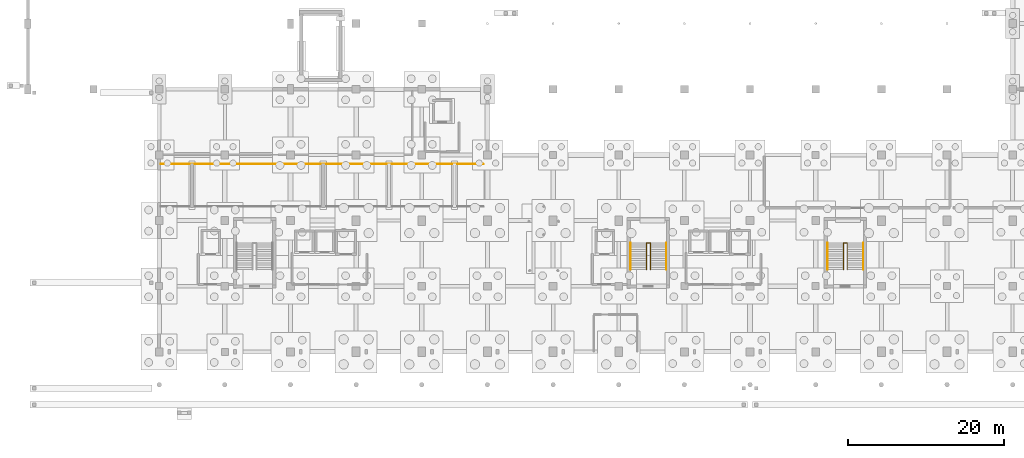
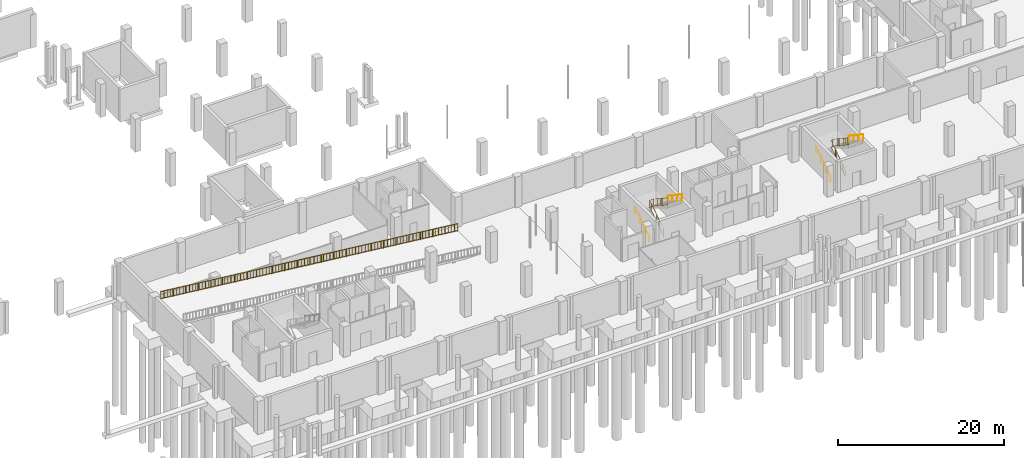
# One storey, part 38 of 39: 7 railings.
"""IFC4 building model written with IfcOpenShell, lengths in metres."""

from ifc_helpers import new_model, si_unit, derived_unit, direction, frame, origin, origin_2d, place, context, subcontext, project, spatial, circle, extrude, material, layer, layer_set, type_object, element, save


model = new_model("IFC4")

# Units and contexts
model_context = context("Model", 3, precision=1e-05, world=origin(), true_north=direction((0.0, 1.0)))
body_context = subcontext(model_context, "Body", "Model", "MODEL_VIEW")
ifc_project = project(units=[si_unit("LENGTHUNIT", "METRE"), si_unit("AREAUNIT", "SQUARE_METRE"), si_unit("VOLUMEUNIT", "CUBIC_METRE"), si_unit("PLANEANGLEUNIT", "RADIAN"), si_unit("MASSUNIT", "GRAM", prefix="KILO"), derived_unit("THERMALTRANSMITTANCEUNIT", [(si_unit("POWERUNIT", "WATT"), 1), (si_unit("LENGTHUNIT", "METRE"), -2), (si_unit("THERMODYNAMICTEMPERATUREUNIT", "KELVIN"), -1)])], contexts=[model_context])

# Site, building, storey
site_placement = place(None, origin())
site = spatial("IfcSite", under=ifc_project, at=site_placement, CompositionType="ELEMENT")
building_placement = place(site_placement, origin())
building = spatial("IfcBuilding", under=site, at=building_placement, Name="Barrovel Congress Hotel", CompositionType="ELEMENT")
storey_placement = place(building_placement, frame((0.0, 0.0, -4.5)))
storey = spatial("IfcBuildingStorey", under=building, at=storey_placement, Name="B01", CompositionType="ELEMENT", Elevation=-4.5)

# Railings
ifc_material_1 = material(Name="Painted Architectural Steel", Category="steel")
ifc_layer_1 = layer(ifc_material_1, 0.070068359375)
ifc_layer_set_1 = layer_set([ifc_layer_1], Name="Painted Architectural Steel")
railing_type_1 = type_object("IfcRailingType", Name="RAIL-GUARD-INT", PredefinedType="BALUSTRADE", material=ifc_layer_set_1)
railing_1_placement = place(storey_placement, frame((79.159912109375, 14.739990234375, 0.0)))
element("IfcRailing", 1, at=railing_1_placement, inside=storey, type_object=railing_type_1, Name="STAIR:XS-02:B01:GR-W", PredefinedType="BALUSTRADE", context=body_context, shape_type="SweptSolid", body=[
    extrude(circle(Radius=0.02392578125, at=origin_2d()), frame((0.0, 0.0, 1.11572265625), z_axis=(0.0, 0.833174834292, 0.553009670352), x_axis=(-1.0, 0.0, 0.0)), (0.0, 0.0, 1.0), 4.068603515625),
    extrude(circle(Radius=0.02392578125, at=origin_2d()), frame((0.0, 0.0, 0.10009765625), z_axis=(0.0, 0.833174834292, 0.553009670352), x_axis=(-1.0, 0.0, 0.0)), (0.0, 0.0, 1.0), 4.068603515625),
    extrude(circle(Radius=0.010009765625, at=origin_2d()), frame((0.0, 0.3388671875, 0.324951171875)), (0.0, 0.0, 1.0), 0.99169921875),
    extrude(circle(Radius=0.010009765625, at=origin_2d()), frame((0.0, 0.677978515625, 0.550048828125)), (0.0, 0.0, 1.0), 0.99169921875),
    extrude(circle(Radius=0.010009765625, at=origin_2d()), frame((0.0, 1.01708984375, 0.77490234375)), (0.0, 0.0, 1.0), 0.99169921875),
    extrude(circle(Radius=0.010009765625, at=origin_2d()), frame((0.0, 1.35595703125, 1.0)), (0.0, 0.0, 1.0), 0.99169921875),
    extrude(circle(Radius=0.010009765625, at=origin_2d()), frame((0.0, 1.69482421875, 1.22509765625)), (0.0, 0.0, 1.0), 0.99169921875),
    extrude(circle(Radius=0.010009765625, at=origin_2d()), frame((0.0, 2.033935546875, 1.449951171875)), (0.0, 0.0, 1.0), 0.99169921875),
    extrude(circle(Radius=0.010009765625, at=origin_2d()), frame((0.0, 2.373046875, 1.675048828125)), (0.0, 0.0, 1.0), 0.99169921875),
    extrude(circle(Radius=0.010009765625, at=origin_2d()), frame((0.0, 2.7119140625, 1.89990234375)), (0.0, 0.0, 1.0), 0.99169921875),
    extrude(circle(Radius=0.010009765625, at=origin_2d()), frame((0.0, 3.05078125, 2.125)), (0.0, 0.0, 1.0), 0.99169921875),
    extrude(circle(Radius=0.02392578125, at=origin_2d()), frame((0.0, 3.389892578125, 3.36572265625), z_axis=(1.0, 0.0, 0.0), x_axis=(0.0, 1.0, 0.0)), (0.0, 0.0, 1.0), 0.47998046875),
    extrude(circle(Radius=0.02392578125, at=origin_2d()), frame((0.0, 3.389892578125, 2.35009765625), z_axis=(1.0, 0.0, 0.0), x_axis=(0.0, 1.0, 0.0)), (0.0, 0.0, 1.0), 0.47998046875),
    extrude(circle(Radius=0.010009765625, at=origin_2d()), frame((0.239990234375, 3.389892578125, 2.35009765625)), (0.0, 0.0, 1.0), 0.99169921875),
    extrude(circle(Radius=0.02392578125, at=origin_2d()), frame((0.47998046875, 3.389892578125, 3.36572265625), z_axis=(0.0, -0.833174834292, 0.553009670352), x_axis=(1.0, 0.0, 0.0)), (0.0, 0.0, 1.0), 4.068603515625),
    extrude(circle(Radius=0.02392578125, at=origin_2d()), frame((0.47998046875, 3.389892578125, 2.35009765625), z_axis=(0.0, -0.833174834292, 0.553009670352), x_axis=(1.0, 0.0, 0.0)), (0.0, 0.0, 1.0), 4.068603515625),
    extrude(circle(Radius=0.010009765625, at=origin_2d()), frame((0.47998046875, 3.05078125, 2.574951171875)), (0.0, 0.0, 1.0), 0.99169921875),
    extrude(circle(Radius=0.010009765625, at=origin_2d()), frame((0.47998046875, 2.7119140625, 2.800048828125)), (0.0, 0.0, 1.0), 0.99169921875),
    extrude(circle(Radius=0.010009765625, at=origin_2d()), frame((0.47998046875, 2.373046875, 3.02490234375)), (0.0, 0.0, 1.0), 0.99169921875),
    extrude(circle(Radius=0.010009765625, at=origin_2d()), frame((0.47998046875, 2.033935546875, 3.25)), (0.0, 0.0, 1.0), 0.99169921875),
    extrude(circle(Radius=0.010009765625, at=origin_2d()), frame((0.47998046875, 1.69482421875, 3.47509765625)), (0.0, 0.0, 1.0), 0.99169921875),
    extrude(circle(Radius=0.010009765625, at=origin_2d()), frame((0.47998046875, 1.35595703125, 3.699951171875)), (0.0, 0.0, 1.0), 0.99169921875),
    extrude(circle(Radius=0.010009765625, at=origin_2d()), frame((0.47998046875, 1.01708984375, 3.925048828125)), (0.0, 0.0, 1.0), 0.99169921875),
    extrude(circle(Radius=0.010009765625, at=origin_2d()), frame((0.47998046875, 0.677978515625, 4.14990234375)), (0.0, 0.0, 1.0), 0.99169921875),
    extrude(circle(Radius=0.010009765625, at=origin_2d()), frame((0.47998046875, 0.3388671875, 4.375)), (0.0, 0.0, 1.0), 0.99169921875),
    extrude(circle(Radius=0.02099609375, at=origin_2d()), origin(), (0.0, 0.0, 1.0), 1.091796875),
    extrude(circle(Radius=0.02099609375, at=origin_2d()), frame((0.0, 1.1298828125, 0.75)), (0.0, 0.0, 1.0), 1.091796875),
    extrude(circle(Radius=0.02099609375, at=origin_2d()), frame((0.0, 2.260009765625, 1.5)), (0.0, 0.0, 1.0), 1.091796875),
    extrude(circle(Radius=0.02099609375, at=origin_2d()), frame((0.0, 3.389892578125, 2.25)), (0.0, 0.0, 1.0), 1.091796875),
    extrude(circle(Radius=0.02099609375, at=origin_2d()), frame((0.47998046875, 3.389892578125, 2.25)), (0.0, 0.0, 1.0), 1.091796875),
    extrude(circle(Radius=0.02099609375, at=origin_2d()), frame((0.47998046875, 2.260009765625, 3.0)), (0.0, 0.0, 1.0), 1.091796875),
    extrude(circle(Radius=0.02099609375, at=origin_2d()), frame((0.47998046875, 1.1298828125, 3.75)), (0.0, 0.0, 1.0), 1.091796875),
    extrude(circle(Radius=0.02099609375, at=origin_2d()), frame((0.47998046875, 0.0, 4.5)), (0.0, 0.0, 1.0), 1.091796875),
])
railing_2_placement = place(storey_placement, frame((104.360107421875, 14.739990234375, 0.0)))
element("IfcRailing", 2, at=railing_2_placement, inside=storey, type_object=railing_type_1, Name="STAIR:XS-03:B01:GR-W", PredefinedType="BALUSTRADE", context=body_context, shape_type="SweptSolid", body=[
    extrude(circle(Radius=0.02392578125, at=origin_2d()), frame((0.0, 0.0, 1.11572265625), z_axis=(0.0, 0.833174834292, 0.553009670352), x_axis=(-1.0, 0.0, 0.0)), (0.0, 0.0, 1.0), 4.068603515625),
    extrude(circle(Radius=0.02392578125, at=origin_2d()), frame((0.0, 0.0, 0.10009765625), z_axis=(0.0, 0.833174834292, 0.553009670352), x_axis=(-1.0, 0.0, 0.0)), (0.0, 0.0, 1.0), 4.068603515625),
    extrude(circle(Radius=0.010009765625, at=origin_2d()), frame((0.0, 0.3388671875, 0.324951171875)), (0.0, 0.0, 1.0), 0.99169921875),
    extrude(circle(Radius=0.010009765625, at=origin_2d()), frame((0.0, 0.677978515625, 0.550048828125)), (0.0, 0.0, 1.0), 0.99169921875),
    extrude(circle(Radius=0.010009765625, at=origin_2d()), frame((0.0, 1.01708984375, 0.77490234375)), (0.0, 0.0, 1.0), 0.99169921875),
    extrude(circle(Radius=0.010009765625, at=origin_2d()), frame((0.0, 1.35595703125, 1.0)), (0.0, 0.0, 1.0), 0.99169921875),
    extrude(circle(Radius=0.010009765625, at=origin_2d()), frame((0.0, 1.69482421875, 1.22509765625)), (0.0, 0.0, 1.0), 0.99169921875),
    extrude(circle(Radius=0.010009765625, at=origin_2d()), frame((0.0, 2.033935546875, 1.449951171875)), (0.0, 0.0, 1.0), 0.99169921875),
    extrude(circle(Radius=0.010009765625, at=origin_2d()), frame((0.0, 2.373046875, 1.675048828125)), (0.0, 0.0, 1.0), 0.99169921875),
    extrude(circle(Radius=0.010009765625, at=origin_2d()), frame((0.0, 2.7119140625, 1.89990234375)), (0.0, 0.0, 1.0), 0.99169921875),
    extrude(circle(Radius=0.010009765625, at=origin_2d()), frame((0.0, 3.05078125, 2.125)), (0.0, 0.0, 1.0), 0.99169921875),
    extrude(circle(Radius=0.02392578125, at=origin_2d()), frame((0.0, 3.389892578125, 3.36572265625), z_axis=(1.0, 0.0, 0.0), x_axis=(0.0, 1.0, 0.0)), (0.0, 0.0, 1.0), 0.47998046875),
    extrude(circle(Radius=0.02392578125, at=origin_2d()), frame((0.0, 3.389892578125, 2.35009765625), z_axis=(1.0, 0.0, 0.0), x_axis=(0.0, 1.0, 0.0)), (0.0, 0.0, 1.0), 0.47998046875),
    extrude(circle(Radius=0.010009765625, at=origin_2d()), frame((0.239990234375, 3.389892578125, 2.35009765625)), (0.0, 0.0, 1.0), 0.99169921875),
    extrude(circle(Radius=0.02392578125, at=origin_2d()), frame((0.47998046875, 3.389892578125, 3.36572265625), z_axis=(0.0, -0.833174834292, 0.553009670352), x_axis=(1.0, 0.0, 0.0)), (0.0, 0.0, 1.0), 4.068603515625),
    extrude(circle(Radius=0.02392578125, at=origin_2d()), frame((0.47998046875, 3.389892578125, 2.35009765625), z_axis=(0.0, -0.833174834292, 0.553009670352), x_axis=(1.0, 0.0, 0.0)), (0.0, 0.0, 1.0), 4.068603515625),
    extrude(circle(Radius=0.010009765625, at=origin_2d()), frame((0.47998046875, 3.05078125, 2.574951171875)), (0.0, 0.0, 1.0), 0.99169921875),
    extrude(circle(Radius=0.010009765625, at=origin_2d()), frame((0.47998046875, 2.7119140625, 2.800048828125)), (0.0, 0.0, 1.0), 0.99169921875),
    extrude(circle(Radius=0.010009765625, at=origin_2d()), frame((0.47998046875, 2.373046875, 3.02490234375)), (0.0, 0.0, 1.0), 0.99169921875),
    extrude(circle(Radius=0.010009765625, at=origin_2d()), frame((0.47998046875, 2.033935546875, 3.25)), (0.0, 0.0, 1.0), 0.99169921875),
    extrude(circle(Radius=0.010009765625, at=origin_2d()), frame((0.47998046875, 1.69482421875, 3.47509765625)), (0.0, 0.0, 1.0), 0.99169921875),
    extrude(circle(Radius=0.010009765625, at=origin_2d()), frame((0.47998046875, 1.35595703125, 3.699951171875)), (0.0, 0.0, 1.0), 0.99169921875),
    extrude(circle(Radius=0.010009765625, at=origin_2d()), frame((0.47998046875, 1.01708984375, 3.925048828125)), (0.0, 0.0, 1.0), 0.99169921875),
    extrude(circle(Radius=0.010009765625, at=origin_2d()), frame((0.47998046875, 0.677978515625, 4.14990234375)), (0.0, 0.0, 1.0), 0.99169921875),
    extrude(circle(Radius=0.010009765625, at=origin_2d()), frame((0.47998046875, 0.3388671875, 4.375)), (0.0, 0.0, 1.0), 0.99169921875),
    extrude(circle(Radius=0.02099609375, at=origin_2d()), origin(), (0.0, 0.0, 1.0), 1.091796875),
    extrude(circle(Radius=0.02099609375, at=origin_2d()), frame((0.0, 1.1298828125, 0.75)), (0.0, 0.0, 1.0), 1.091796875),
    extrude(circle(Radius=0.02099609375, at=origin_2d()), frame((0.0, 2.260009765625, 1.5)), (0.0, 0.0, 1.0), 1.091796875),
    extrude(circle(Radius=0.02099609375, at=origin_2d()), frame((0.0, 3.389892578125, 2.25)), (0.0, 0.0, 1.0), 1.091796875),
    extrude(circle(Radius=0.02099609375, at=origin_2d()), frame((0.47998046875, 3.389892578125, 2.25)), (0.0, 0.0, 1.0), 1.091796875),
    extrude(circle(Radius=0.02099609375, at=origin_2d()), frame((0.47998046875, 2.260009765625, 3.0)), (0.0, 0.0, 1.0), 1.091796875),
    extrude(circle(Radius=0.02099609375, at=origin_2d()), frame((0.47998046875, 1.1298828125, 3.75)), (0.0, 0.0, 1.0), 1.091796875),
    extrude(circle(Radius=0.02099609375, at=origin_2d()), frame((0.47998046875, 0.0, 4.5)), (0.0, 0.0, 1.0), 1.091796875),
])
railing_3_placement = place(storey_placement, frame((58.280029296875, 28.219970703125, 0.007568359375)))
element("IfcRailing", 3, at=railing_3_placement, inside=storey, type_object=railing_type_1, Name="RAIL:B01:R01-N", PredefinedType="BALUSTRADE", context=body_context, shape_type="SweptSolid", body=[
    extrude(circle(Radius=0.02392578125, at=origin_2d()), frame((0.0, 0.0, 1.11572265625), z_axis=(-0.994227917006, 0.0, 0.107288624958), x_axis=(0.0, -1.0, 0.0)), (0.0, 0.0, 1.0), 41.519775390625),
    extrude(circle(Radius=0.02392578125, at=origin_2d()), frame((0.0, 0.0, 0.10009765625), z_axis=(-0.994227917006, 0.0, 0.107288624958), x_axis=(0.0, -1.0, 0.0)), (0.0, 0.0, 1.0), 41.519775390625),
    extrude(circle(Radius=0.010009765625, at=origin_2d()), frame((-0.44384765625, 0.0, 0.14794921875)), (0.0, 0.0, 1.0), 0.99169921875),
    extrude(circle(Radius=0.010009765625, at=origin_2d()), frame((-0.8876953125, 0.0, 0.19580078125)), (0.0, 0.0, 1.0), 0.99169921875),
    extrude(circle(Radius=0.010009765625, at=origin_2d()), frame((-1.33154296875, 0.0, 0.24365234375)), (0.0, 0.0, 1.0), 0.99169921875),
    extrude(circle(Radius=0.010009765625, at=origin_2d()), frame((-1.775390625, 0.0, 0.29150390625)), (0.0, 0.0, 1.0), 0.99169921875),
    extrude(circle(Radius=0.010009765625, at=origin_2d()), frame((-2.21923828125, 0.0, 0.339599609375)), (0.0, 0.0, 1.0), 0.99169921875),
    extrude(circle(Radius=0.010009765625, at=origin_2d()), frame((-2.663330078125, 0.0, 0.387451171875)), (0.0, 0.0, 1.0), 0.99169921875),
    extrude(circle(Radius=0.010009765625, at=origin_2d()), frame((-3.107177734375, 0.0, 0.435302734375)), (0.0, 0.0, 1.0), 0.99169921875),
    extrude(circle(Radius=0.010009765625, at=origin_2d()), frame((-3.551025390625, 0.0, 0.483154296875)), (0.0, 0.0, 1.0), 0.99169921875),
    extrude(circle(Radius=0.010009765625, at=origin_2d()), frame((-3.994873046875, 0.0, 0.531005859375)), (0.0, 0.0, 1.0), 0.99169921875),
    extrude(circle(Radius=0.010009765625, at=origin_2d()), frame((-4.438720703125, 0.0, 0.5791015625)), (0.0, 0.0, 1.0), 0.99169921875),
    extrude(circle(Radius=0.010009765625, at=origin_2d()), frame((-4.882568359375, 0.0, 0.626953125)), (0.0, 0.0, 1.0), 0.99169921875),
    extrude(circle(Radius=0.010009765625, at=origin_2d()), frame((-5.326416015625, 0.0, 0.6748046875)), (0.0, 0.0, 1.0), 0.99169921875),
    extrude(circle(Radius=0.010009765625, at=origin_2d()), frame((-5.770263671875, 0.0, 0.72265625)), (0.0, 0.0, 1.0), 0.99169921875),
    extrude(circle(Radius=0.010009765625, at=origin_2d()), frame((-6.214111328125, 0.0, 0.7705078125)), (0.0, 0.0, 1.0), 0.99169921875),
    extrude(circle(Radius=0.010009765625, at=origin_2d()), frame((-6.657958984375, 0.0, 0.818603515625)), (0.0, 0.0, 1.0), 0.99169921875),
    extrude(circle(Radius=0.010009765625, at=origin_2d()), frame((-7.10205078125, 0.0, 0.866455078125)), (0.0, 0.0, 1.0), 0.99169921875),
    extrude(circle(Radius=0.010009765625, at=origin_2d()), frame((-7.5458984375, 0.0, 0.914306640625)), (0.0, 0.0, 1.0), 0.99169921875),
    extrude(circle(Radius=0.010009765625, at=origin_2d()), frame((-7.98974609375, 0.0, 0.962158203125)), (0.0, 0.0, 1.0), 0.99169921875),
    extrude(circle(Radius=0.010009765625, at=origin_2d()), frame((-8.43359375, 0.0, 1.010009765625)), (0.0, 0.0, 1.0), 0.99169921875),
    extrude(circle(Radius=0.010009765625, at=origin_2d()), frame((-8.87744140625, 0.0, 1.057861328125)), (0.0, 0.0, 1.0), 0.99169921875),
    extrude(circle(Radius=0.010009765625, at=origin_2d()), frame((-9.3212890625, 0.0, 1.10595703125)), (0.0, 0.0, 1.0), 0.99169921875),
    extrude(circle(Radius=0.010009765625, at=origin_2d()), frame((-9.76513671875, 0.0, 1.15380859375)), (0.0, 0.0, 1.0), 0.99169921875),
    extrude(circle(Radius=0.010009765625, at=origin_2d()), frame((-10.208984375, 0.0, 1.20166015625)), (0.0, 0.0, 1.0), 0.99169921875),
    extrude(circle(Radius=0.010009765625, at=origin_2d()), frame((-10.65283203125, 0.0, 1.24951171875)), (0.0, 0.0, 1.0), 0.99169921875),
    extrude(circle(Radius=0.010009765625, at=origin_2d()), frame((-11.0966796875, 0.0, 1.29736328125)), (0.0, 0.0, 1.0), 0.99169921875),
    extrude(circle(Radius=0.010009765625, at=origin_2d()), frame((-11.540771484375, 0.0, 1.345458984375)), (0.0, 0.0, 1.0), 0.99169921875),
    extrude(circle(Radius=0.010009765625, at=origin_2d()), frame((-11.984619140625, 0.0, 1.393310546875)), (0.0, 0.0, 1.0), 0.99169921875),
    extrude(circle(Radius=0.010009765625, at=origin_2d()), frame((-12.428466796875, 0.0, 1.441162109375)), (0.0, 0.0, 1.0), 0.99169921875),
    extrude(circle(Radius=0.010009765625, at=origin_2d()), frame((-12.872314453125, 0.0, 1.489013671875)), (0.0, 0.0, 1.0), 0.99169921875),
    extrude(circle(Radius=0.010009765625, at=origin_2d()), frame((-13.316162109375, 0.0, 1.536865234375)), (0.0, 0.0, 1.0), 0.99169921875),
    extrude(circle(Radius=0.010009765625, at=origin_2d()), frame((-13.760009765625, 0.0, 1.5849609375)), (0.0, 0.0, 1.0), 0.99169921875),
    extrude(circle(Radius=0.010009765625, at=origin_2d()), frame((-14.203857421875, 0.0, 1.6328125)), (0.0, 0.0, 1.0), 0.99169921875),
    extrude(circle(Radius=0.010009765625, at=origin_2d()), frame((-14.647705078125, 0.0, 1.6806640625)), (0.0, 0.0, 1.0), 0.99169921875),
    extrude(circle(Radius=0.010009765625, at=origin_2d()), frame((-15.091552734375, 0.0, 1.728515625)), (0.0, 0.0, 1.0), 0.99169921875),
    extrude(circle(Radius=0.010009765625, at=origin_2d()), frame((-15.535400390625, 0.0, 1.7763671875)), (0.0, 0.0, 1.0), 0.99169921875),
    extrude(circle(Radius=0.010009765625, at=origin_2d()), frame((-15.979248046875, 0.0, 1.824462890625)), (0.0, 0.0, 1.0), 0.99169921875),
    extrude(circle(Radius=0.010009765625, at=origin_2d()), frame((-16.42333984375, 0.0, 1.872314453125)), (0.0, 0.0, 1.0), 0.99169921875),
    extrude(circle(Radius=0.010009765625, at=origin_2d()), frame((-16.8671875, 0.0, 1.920166015625)), (0.0, 0.0, 1.0), 0.99169921875),
    extrude(circle(Radius=0.010009765625, at=origin_2d()), frame((-17.31103515625, 0.0, 1.968017578125)), (0.0, 0.0, 1.0), 0.99169921875),
    extrude(circle(Radius=0.010009765625, at=origin_2d()), frame((-17.7548828125, 0.0, 2.015869140625)), (0.0, 0.0, 1.0), 0.99169921875),
    extrude(circle(Radius=0.010009765625, at=origin_2d()), frame((-18.19873046875, 0.0, 2.06396484375)), (0.0, 0.0, 1.0), 0.99169921875),
    extrude(circle(Radius=0.010009765625, at=origin_2d()), frame((-18.642578125, 0.0, 2.11181640625)), (0.0, 0.0, 1.0), 0.99169921875),
    extrude(circle(Radius=0.010009765625, at=origin_2d()), frame((-19.08642578125, 0.0, 2.15966796875)), (0.0, 0.0, 1.0), 0.99169921875),
    extrude(circle(Radius=0.010009765625, at=origin_2d()), frame((-19.5302734375, 0.0, 2.20751953125)), (0.0, 0.0, 1.0), 0.99169921875),
    extrude(circle(Radius=0.010009765625, at=origin_2d()), frame((-19.97412109375, 0.0, 2.25537109375)), (0.0, 0.0, 1.0), 0.99169921875),
    extrude(circle(Radius=0.010009765625, at=origin_2d()), frame((-20.41796875, 0.0, 2.303466796875)), (0.0, 0.0, 1.0), 0.99169921875),
    extrude(circle(Radius=0.010009765625, at=origin_2d()), frame((-20.862060546875, 0.0, 2.351318359375)), (0.0, 0.0, 1.0), 0.99169921875),
    extrude(circle(Radius=0.010009765625, at=origin_2d()), frame((-21.305908203125, 0.0, 2.399169921875)), (0.0, 0.0, 1.0), 0.99169921875),
    extrude(circle(Radius=0.010009765625, at=origin_2d()), frame((-21.749755859375, 0.0, 2.447021484375)), (0.0, 0.0, 1.0), 0.99169921875),
    extrude(circle(Radius=0.010009765625, at=origin_2d()), frame((-22.193603515625, 0.0, 2.494873046875)), (0.0, 0.0, 1.0), 0.99169921875),
    extrude(circle(Radius=0.010009765625, at=origin_2d()), frame((-22.637451171875, 0.0, 2.542724609375)), (0.0, 0.0, 1.0), 0.99169921875),
    extrude(circle(Radius=0.010009765625, at=origin_2d()), frame((-23.081298828125, 0.0, 2.5908203125)), (0.0, 0.0, 1.0), 0.99169921875),
    extrude(circle(Radius=0.010009765625, at=origin_2d()), frame((-23.525146484375, 0.0, 2.638671875)), (0.0, 0.0, 1.0), 0.99169921875),
    extrude(circle(Radius=0.010009765625, at=origin_2d()), frame((-23.968994140625, 0.0, 2.6865234375)), (0.0, 0.0, 1.0), 0.99169921875),
    extrude(circle(Radius=0.010009765625, at=origin_2d()), frame((-24.412841796875, 0.0, 2.734375)), (0.0, 0.0, 1.0), 0.99169921875),
    extrude(circle(Radius=0.010009765625, at=origin_2d()), frame((-24.856689453125, 0.0, 2.7822265625)), (0.0, 0.0, 1.0), 0.99169921875),
    extrude(circle(Radius=0.010009765625, at=origin_2d()), frame((-25.30078125, 0.0, 2.830322265625)), (0.0, 0.0, 1.0), 0.99169921875),
    extrude(circle(Radius=0.010009765625, at=origin_2d()), frame((-25.74462890625, 0.0, 2.878173828125)), (0.0, 0.0, 1.0), 0.99169921875),
    extrude(circle(Radius=0.010009765625, at=origin_2d()), frame((-26.1884765625, 0.0, 2.926025390625)), (0.0, 0.0, 1.0), 0.99169921875),
    extrude(circle(Radius=0.010009765625, at=origin_2d()), frame((-26.63232421875, 0.0, 2.973876953125)), (0.0, 0.0, 1.0), 0.99169921875),
    extrude(circle(Radius=0.010009765625, at=origin_2d()), frame((-27.076171875, 0.0, 3.021728515625)), (0.0, 0.0, 1.0), 0.99169921875),
    extrude(circle(Radius=0.010009765625, at=origin_2d()), frame((-27.52001953125, 0.0, 3.06982421875)), (0.0, 0.0, 1.0), 0.99169921875),
    extrude(circle(Radius=0.010009765625, at=origin_2d()), frame((-27.9638671875, 0.0, 3.11767578125)), (0.0, 0.0, 1.0), 0.99169921875),
    extrude(circle(Radius=0.010009765625, at=origin_2d()), frame((-28.40771484375, 0.0, 3.16552734375)), (0.0, 0.0, 1.0), 0.99169921875),
    extrude(circle(Radius=0.010009765625, at=origin_2d()), frame((-28.8515625, 0.0, 3.21337890625)), (0.0, 0.0, 1.0), 0.99169921875),
    extrude(circle(Radius=0.010009765625, at=origin_2d()), frame((-29.29541015625, 0.0, 3.26123046875)), (0.0, 0.0, 1.0), 0.99169921875),
    extrude(circle(Radius=0.010009765625, at=origin_2d()), frame((-29.7392578125, 0.0, 3.309326171875)), (0.0, 0.0, 1.0), 0.99169921875),
    extrude(circle(Radius=0.010009765625, at=origin_2d()), frame((-30.183349609375, 0.0, 3.357177734375)), (0.0, 0.0, 1.0), 0.99169921875),
    extrude(circle(Radius=0.010009765625, at=origin_2d()), frame((-30.627197265625, 0.0, 3.405029296875)), (0.0, 0.0, 1.0), 0.99169921875),
    extrude(circle(Radius=0.010009765625, at=origin_2d()), frame((-31.071044921875, 0.0, 3.452880859375)), (0.0, 0.0, 1.0), 0.99169921875),
    extrude(circle(Radius=0.010009765625, at=origin_2d()), frame((-31.514892578125, 0.0, 3.500732421875)), (0.0, 0.0, 1.0), 0.99169921875),
    extrude(circle(Radius=0.010009765625, at=origin_2d()), frame((-31.958740234375, 0.0, 3.548828125)), (0.0, 0.0, 1.0), 0.99169921875),
    extrude(circle(Radius=0.010009765625, at=origin_2d()), frame((-32.402587890625, 0.0, 3.5966796875)), (0.0, 0.0, 1.0), 0.99169921875),
    extrude(circle(Radius=0.010009765625, at=origin_2d()), frame((-32.846435546875, 0.0, 3.64453125)), (0.0, 0.0, 1.0), 0.99169921875),
    extrude(circle(Radius=0.010009765625, at=origin_2d()), frame((-33.290283203125, 0.0, 3.6923828125)), (0.0, 0.0, 1.0), 0.99169921875),
    extrude(circle(Radius=0.010009765625, at=origin_2d()), frame((-33.734130859375, 0.0, 3.740234375)), (0.0, 0.0, 1.0), 0.99169921875),
    extrude(circle(Radius=0.010009765625, at=origin_2d()), frame((-34.177978515625, 0.0, 3.788330078125)), (0.0, 0.0, 1.0), 0.99169921875),
    extrude(circle(Radius=0.010009765625, at=origin_2d()), frame((-34.6220703125, 0.0, 3.836181640625)), (0.0, 0.0, 1.0), 0.99169921875),
    extrude(circle(Radius=0.010009765625, at=origin_2d()), frame((-35.06591796875, 0.0, 3.884033203125)), (0.0, 0.0, 1.0), 0.99169921875),
    extrude(circle(Radius=0.010009765625, at=origin_2d()), frame((-35.509765625, 0.0, 3.931884765625)), (0.0, 0.0, 1.0), 0.99169921875),
    extrude(circle(Radius=0.010009765625, at=origin_2d()), frame((-35.95361328125, 0.0, 3.979736328125)), (0.0, 0.0, 1.0), 0.99169921875),
    extrude(circle(Radius=0.010009765625, at=origin_2d()), frame((-36.3974609375, 0.0, 4.027587890625)), (0.0, 0.0, 1.0), 0.99169921875),
    extrude(circle(Radius=0.010009765625, at=origin_2d()), frame((-36.84130859375, 0.0, 4.07568359375)), (0.0, 0.0, 1.0), 0.99169921875),
    extrude(circle(Radius=0.010009765625, at=origin_2d()), frame((-37.28515625, 0.0, 4.12353515625)), (0.0, 0.0, 1.0), 0.99169921875),
    extrude(circle(Radius=0.010009765625, at=origin_2d()), frame((-37.72900390625, 0.0, 4.17138671875)), (0.0, 0.0, 1.0), 0.99169921875),
    extrude(circle(Radius=0.010009765625, at=origin_2d()), frame((-38.1728515625, 0.0, 4.21923828125)), (0.0, 0.0, 1.0), 0.99169921875),
    extrude(circle(Radius=0.010009765625, at=origin_2d()), frame((-38.61669921875, 0.0, 4.26708984375)), (0.0, 0.0, 1.0), 0.99169921875),
    extrude(circle(Radius=0.010009765625, at=origin_2d()), frame((-39.060791015625, 0.0, 4.315185546875)), (0.0, 0.0, 1.0), 0.99169921875),
    extrude(circle(Radius=0.010009765625, at=origin_2d()), frame((-39.504638671875, 0.0, 4.363037109375)), (0.0, 0.0, 1.0), 0.99169921875),
    extrude(circle(Radius=0.010009765625, at=origin_2d()), frame((-39.948486328125, 0.0, 4.410888671875)), (0.0, 0.0, 1.0), 0.99169921875),
    extrude(circle(Radius=0.010009765625, at=origin_2d()), frame((-40.392333984375, 0.0, 4.458740234375)), (0.0, 0.0, 1.0), 0.99169921875),
    extrude(circle(Radius=0.010009765625, at=origin_2d()), frame((-40.836181640625, 0.0, 4.506591796875)), (0.0, 0.0, 1.0), 0.99169921875),
    extrude(circle(Radius=0.02099609375, at=origin_2d()), origin(), (0.0, 0.0, 1.0), 1.091796875),
    extrude(circle(Radius=0.02099609375, at=origin_2d()), frame((-1.719970703125, 0.0, 0.185546875)), (0.0, 0.0, 1.0), 1.091796875),
    extrude(circle(Radius=0.02099609375, at=origin_2d()), frame((-3.43994140625, 0.0, 0.37109375)), (0.0, 0.0, 1.0), 1.091796875),
    extrude(circle(Radius=0.02099609375, at=origin_2d()), frame((-5.159912109375, 0.0, 0.556884765625)), (0.0, 0.0, 1.0), 1.091796875),
    extrude(circle(Radius=0.02099609375, at=origin_2d()), frame((-6.8798828125, 0.0, 0.742431640625)), (0.0, 0.0, 1.0), 1.091796875),
    extrude(circle(Radius=0.02099609375, at=origin_2d()), frame((-8.60009765625, 0.0, 0.927978515625)), (0.0, 0.0, 1.0), 1.091796875),
    extrude(circle(Radius=0.02099609375, at=origin_2d()), frame((-10.320068359375, 0.0, 1.11376953125)), (0.0, 0.0, 1.0), 1.091796875),
    extrude(circle(Radius=0.02099609375, at=origin_2d()), frame((-12.0400390625, 0.0, 1.29931640625)), (0.0, 0.0, 1.0), 1.091796875),
    extrude(circle(Radius=0.02099609375, at=origin_2d()), frame((-13.760009765625, 0.0, 1.48486328125)), (0.0, 0.0, 1.0), 1.091796875),
    extrude(circle(Radius=0.02099609375, at=origin_2d()), frame((-15.47998046875, 0.0, 1.67041015625)), (0.0, 0.0, 1.0), 1.091796875),
    extrude(circle(Radius=0.02099609375, at=origin_2d()), frame((-17.199951171875, 0.0, 1.85595703125)), (0.0, 0.0, 1.0), 1.091796875),
    extrude(circle(Radius=0.02099609375, at=origin_2d()), frame((-18.919921875, 0.0, 2.041748046875)), (0.0, 0.0, 1.0), 1.091796875),
    extrude(circle(Radius=0.02099609375, at=origin_2d()), frame((-20.64013671875, 0.0, 2.227294921875)), (0.0, 0.0, 1.0), 1.091796875),
    extrude(circle(Radius=0.02099609375, at=origin_2d()), frame((-22.360107421875, 0.0, 2.412841796875)), (0.0, 0.0, 1.0), 1.091796875),
    extrude(circle(Radius=0.02099609375, at=origin_2d()), frame((-24.080078125, 0.0, 2.5986328125)), (0.0, 0.0, 1.0), 1.091796875),
    extrude(circle(Radius=0.02099609375, at=origin_2d()), frame((-25.800048828125, 0.0, 2.7841796875)), (0.0, 0.0, 1.0), 1.091796875),
    extrude(circle(Radius=0.02099609375, at=origin_2d()), frame((-27.52001953125, 0.0, 2.9697265625)), (0.0, 0.0, 1.0), 1.091796875),
    extrude(circle(Radius=0.02099609375, at=origin_2d()), frame((-29.239990234375, 0.0, 3.1552734375)), (0.0, 0.0, 1.0), 1.091796875),
    extrude(circle(Radius=0.02099609375, at=origin_2d()), frame((-30.9599609375, 0.0, 3.3408203125)), (0.0, 0.0, 1.0), 1.091796875),
    extrude(circle(Radius=0.02099609375, at=origin_2d()), frame((-32.679931640625, 0.0, 3.526611328125)), (0.0, 0.0, 1.0), 1.091796875),
    extrude(circle(Radius=0.02099609375, at=origin_2d()), frame((-34.39990234375, 0.0, 3.712158203125)), (0.0, 0.0, 1.0), 1.091796875),
    extrude(circle(Radius=0.02099609375, at=origin_2d()), frame((-36.1201171875, 0.0, 3.897705078125)), (0.0, 0.0, 1.0), 1.091796875),
    extrude(circle(Radius=0.02099609375, at=origin_2d()), frame((-37.840087890625, 0.0, 4.08349609375)), (0.0, 0.0, 1.0), 1.091796875),
    extrude(circle(Radius=0.02099609375, at=origin_2d()), frame((-39.56005859375, 0.0, 4.26904296875)), (0.0, 0.0, 1.0), 1.091796875),
    extrude(circle(Radius=0.02099609375, at=origin_2d()), frame((-41.280029296875, 0.0, 4.45458984375)), (0.0, 0.0, 1.0), 1.091796875),
])
ifc_material_2 = material(Name="Brushed Stainless Steel", Category="steel")
ifc_layer_2 = layer(ifc_material_2, 0.050048828125)
ifc_layer_set_2 = layer_set([ifc_layer_2], Name="Brushed Stainless Steel")
railing_type_2 = type_object("IfcRailingType", Name="RAIL-HAND", PredefinedType="HANDRAIL", material=ifc_layer_set_2)
railing_4_placement = place(storey_placement, frame((77.1201171875, 14.739990234375, 0.0)))
element("IfcRailing", 4, at=railing_4_placement, inside=storey, type_object=railing_type_2, Name="STAIR:XS-02:B01:HR-1", PredefinedType="HANDRAIL", context=body_context, shape_type="SweptSolid", body=[
    extrude(circle(Radius=0.02392578125, at=origin_2d()), frame((0.0, 0.0, 0.89599609375), z_axis=(0.0, 0.833174834292, 0.553009670352), x_axis=(-1.0, 0.0, 0.0)), (0.0, 0.0, 1.0), 4.068603515625),
    extrude(circle(Radius=0.02099609375, at=origin_2d()), origin(), (0.0, 0.0, 1.0), 0.871826171875),
    extrude(circle(Radius=0.02099609375, at=origin_2d()), frame((0.0, 1.1298828125, 0.75)), (0.0, 0.0, 1.0), 0.871826171875),
    extrude(circle(Radius=0.02099609375, at=origin_2d()), frame((0.0, 2.260009765625, 1.5)), (0.0, 0.0, 1.0), 0.871826171875),
    extrude(circle(Radius=0.02099609375, at=origin_2d()), frame((0.0, 3.389892578125, 2.25)), (0.0, 0.0, 1.0), 0.871826171875),
])
railing_5_placement = place(storey_placement, frame((81.679931640625, 18.1298828125, 2.25)))
element("IfcRailing", 5, at=railing_5_placement, inside=storey, type_object=railing_type_2, Name="STAIR:XS-02:B01:HR-2", PredefinedType="HANDRAIL", context=body_context, shape_type="SweptSolid", body=[
    extrude(circle(Radius=0.02392578125, at=origin_2d()), frame((0.0, 0.0, 0.89599609375), z_axis=(0.0, -0.833174834292, 0.553009670352), x_axis=(1.0, 0.0, 0.0)), (0.0, 0.0, 1.0), 4.068603515625),
    extrude(circle(Radius=0.02099609375, at=origin_2d()), origin(), (0.0, 0.0, 1.0), 0.871826171875),
    extrude(circle(Radius=0.02099609375, at=origin_2d()), frame((0.0, -1.1298828125, 0.75)), (0.0, 0.0, 1.0), 0.871826171875),
    extrude(circle(Radius=0.02099609375, at=origin_2d()), frame((0.0, -2.260009765625, 1.5)), (0.0, 0.0, 1.0), 0.871826171875),
    extrude(circle(Radius=0.02099609375, at=origin_2d()), frame((0.0, -3.389892578125, 2.25)), (0.0, 0.0, 1.0), 0.871826171875),
])
railing_6_placement = place(storey_placement, frame((102.320068359375, 14.739990234375, 0.0)))
element("IfcRailing", 6, at=railing_6_placement, inside=storey, type_object=railing_type_2, Name="STAIR:XS-03:B01:HR-1", PredefinedType="HANDRAIL", context=body_context, shape_type="SweptSolid", body=[
    extrude(circle(Radius=0.02392578125, at=origin_2d()), frame((0.0, 0.0, 0.89599609375), z_axis=(0.0, 0.833174834292, 0.553009670352), x_axis=(-1.0, 0.0, 0.0)), (0.0, 0.0, 1.0), 4.068603515625),
    extrude(circle(Radius=0.02099609375, at=origin_2d()), origin(), (0.0, 0.0, 1.0), 0.871826171875),
    extrude(circle(Radius=0.02099609375, at=origin_2d()), frame((0.0, 1.1298828125, 0.75)), (0.0, 0.0, 1.0), 0.871826171875),
    extrude(circle(Radius=0.02099609375, at=origin_2d()), frame((0.0, 2.260009765625, 1.5)), (0.0, 0.0, 1.0), 0.871826171875),
    extrude(circle(Radius=0.02099609375, at=origin_2d()), frame((0.0, 3.389892578125, 2.25)), (0.0, 0.0, 1.0), 0.871826171875),
])
railing_7_placement = place(storey_placement, frame((106.8798828125, 18.1298828125, 2.25)))
element("IfcRailing", 7, at=railing_7_placement, inside=storey, type_object=railing_type_2, Name="STAIR:XS-03:B01:HR-2", PredefinedType="HANDRAIL", context=body_context, shape_type="SweptSolid", body=[
    extrude(circle(Radius=0.02392578125, at=origin_2d()), frame((0.0, 0.0, 0.89599609375), z_axis=(0.0, -0.833174834292, 0.553009670352), x_axis=(1.0, 0.0, 0.0)), (0.0, 0.0, 1.0), 4.068603515625),
    extrude(circle(Radius=0.02099609375, at=origin_2d()), origin(), (0.0, 0.0, 1.0), 0.871826171875),
    extrude(circle(Radius=0.02099609375, at=origin_2d()), frame((0.0, -1.1298828125, 0.75)), (0.0, 0.0, 1.0), 0.871826171875),
    extrude(circle(Radius=0.02099609375, at=origin_2d()), frame((0.0, -2.260009765625, 1.5)), (0.0, 0.0, 1.0), 0.871826171875),
    extrude(circle(Radius=0.02099609375, at=origin_2d()), frame((0.0, -3.389892578125, 2.25)), (0.0, 0.0, 1.0), 0.871826171875),
])

save(model, "model.ifc")
